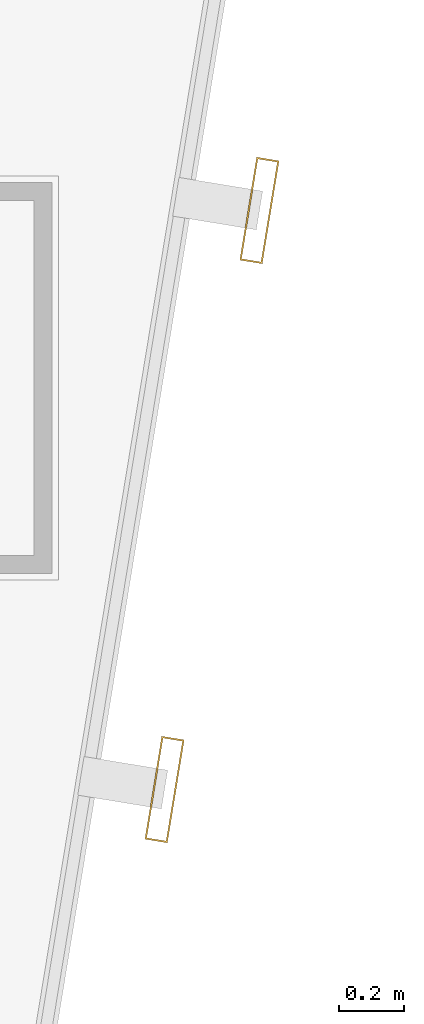
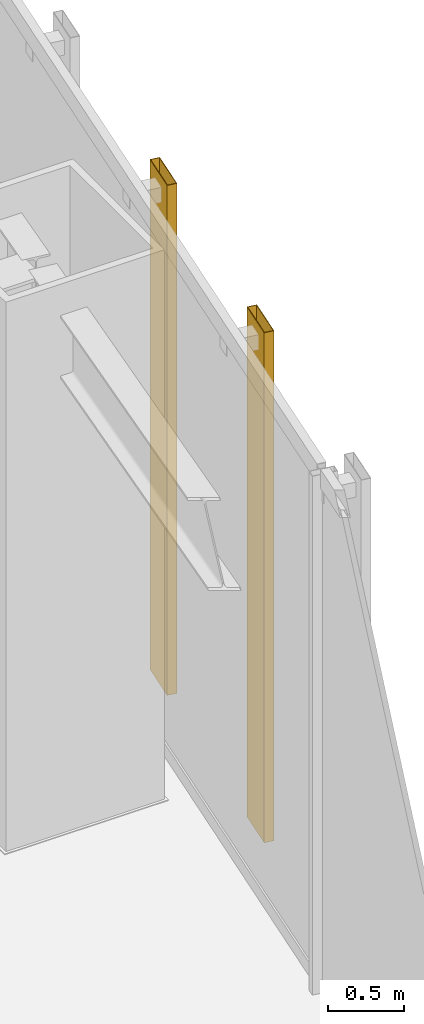
# One storey, part 45 of 49: 2 shading devices.
"""IFC4 building model written with IfcOpenShell, lengths in metres."""

from ifc_helpers import new_model, si_unit, direction, frame, origin, origin_2d, place, context, subcontext, project, spatial, hollow_rectangle, extrude, material, material_profile, profile_set, type_object, element, save


model = new_model("IFC4")

# Units and contexts
model_context = context("Model", 3, precision=1e-05, world=origin(), true_north=direction((0.0, 1.0)))
body_context = subcontext(model_context, "Body", "Model", "MODEL_VIEW")
ifc_project = project(units=[si_unit("LENGTHUNIT", "METRE"), si_unit("AREAUNIT", "SQUARE_METRE"), si_unit("VOLUMEUNIT", "CUBIC_METRE"), si_unit("PLANEANGLEUNIT", "RADIAN"), si_unit("MASSUNIT", "GRAM", prefix="KILO")], contexts=[model_context])

# Site, building, storey
site_placement = place(None, origin())
site = spatial("IfcSite", under=ifc_project, at=site_placement, CompositionType="ELEMENT")
building_placement = place(site_placement, origin())
building = spatial("IfcBuilding", under=site, at=building_placement, Name="Saevonmaru Cultural Tower", CompositionType="ELEMENT")
storey_placement = place(building_placement, frame((0.0, 0.0, 38.39990234375)))
storey = spatial("IfcBuildingStorey", under=building, at=storey_placement, Name="L07", CompositionType="ELEMENT", Elevation=38.39990234375)

# Shading devices
ifc_material = material(Name="Satin Bronze Anodised Aluminium", Category="aluminium")
ifc_material_profile = material_profile(ifc_material, hollow_rectangle(XDim=0.070068359375, YDim=0.320068359375, WallThickness=0.0048828125, at=origin_2d()), Name="FIN-320x70")
ifc_profile_set = profile_set([ifc_material_profile], Name="Satin Bronze Anodised Aluminium")
shading_device_type = type_object("IfcShadingDeviceType", Name="SHD-FIN-320", PredefinedType="JALOUSIE", material=ifc_profile_set)
for number, where, z_axis, x_axis, name in (
    (1, (52.6279296875, 30.737548828125, 0.050048828125), (0.0, 0.0, 1.0), (0.986827496189, -0.161776057456, 0.0), "L07 Art Deco Sawtooth Bronze Fin E8-15"),
    (2, (52.9189453125, 32.513916015625, 0.050048828125), (0.0, 0.0, 1.0), (0.986827496189, -0.161776057456, 0.0), "L07 Art Deco Sawtooth Bronze Fin E8-16"),
):
    element("IfcShadingDevice", number, at=place(storey_placement, frame(where, z_axis=z_axis, x_axis=x_axis)), inside=storey, type_object=shading_device_type, Name=name, PredefinedType="JALOUSIE", context=body_context, shape_type="SweptSolid", body=[
        extrude(hollow_rectangle(XDim=0.070068359375, YDim=0.320068359375, WallThickness=0.0048828125, at=origin_2d()), origin(), (0.0, 0.0, 1.0), 4.080078125),
    ])

save(model, "model.ifc")
